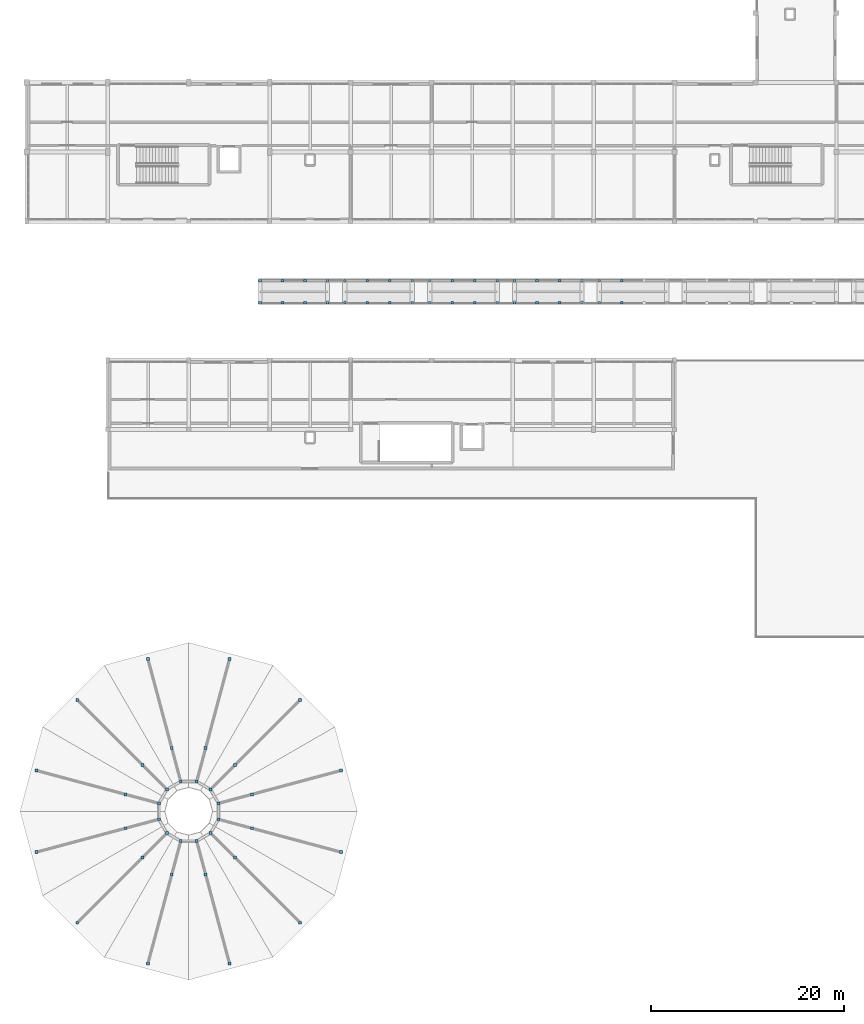
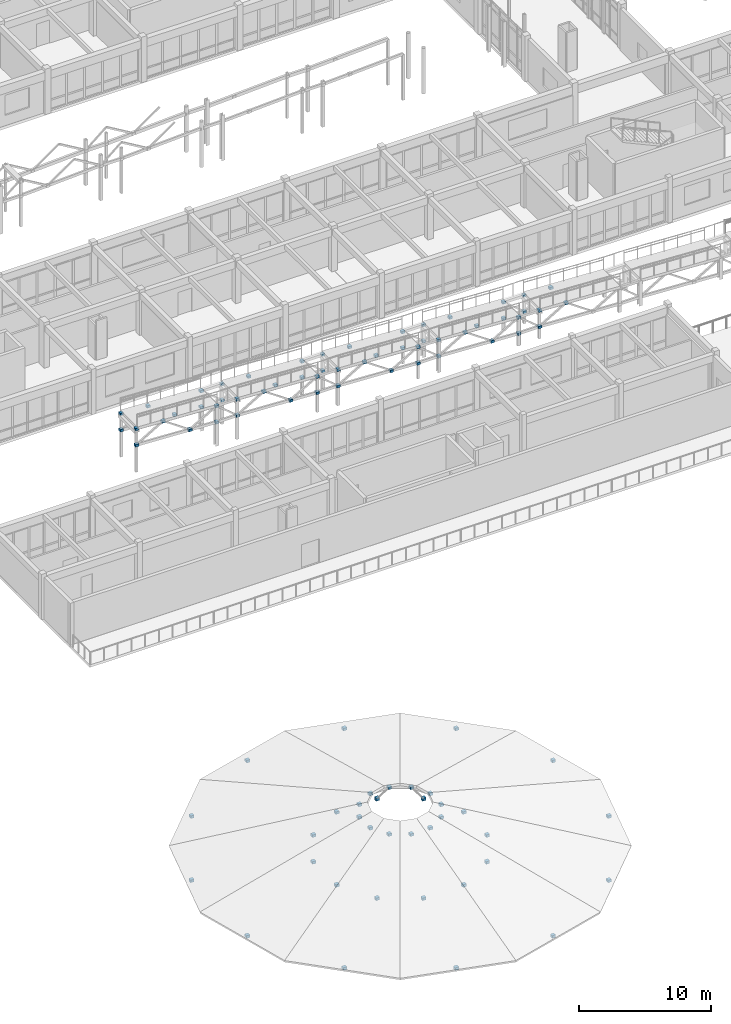
# One storey, part 70 of 89: 90 plates.
"""IFC4 building model written with IfcOpenShell, lengths in metres."""

from ifc_helpers import new_model, si_unit, direction, frame, origin, origin_2d, place, context, subcontext, project, spatial, rectangle, extrude, material, layer, layer_set, type_object, element, save


model = new_model("IFC4")

# Units and contexts
model_context = context("Model", 3, precision=1e-05, world=origin(), true_north=direction((0.0, 1.0)))
body_context = subcontext(model_context, "Body", "Model", "MODEL_VIEW")
ifc_project = project(units=[si_unit("LENGTHUNIT", "METRE"), si_unit("AREAUNIT", "SQUARE_METRE"), si_unit("VOLUMEUNIT", "CUBIC_METRE"), si_unit("PLANEANGLEUNIT", "RADIAN"), si_unit("MASSUNIT", "GRAM", prefix="KILO")], contexts=[model_context])

# Site, building, storey
site_placement = place(None, origin())
site = spatial("IfcSite", under=ifc_project, at=site_placement, CompositionType="ELEMENT")
building_placement = place(site_placement, origin())
building = spatial("IfcBuilding", under=site, at=building_placement, Name="Malvenik Polytechnic", CompositionType="ELEMENT")
storey_placement = place(building_placement, frame((0.0, 0.0, 13.5)))
storey = spatial("IfcBuildingStorey", under=building, at=storey_placement, Name="L03", CompositionType="ELEMENT", Elevation=13.5)

# Plates
ifc_material = material(Name="Steel S355J2H", Category="steel")
ifc_layer_1 = layer(ifc_material, 0.034912109375)
ifc_layer_set_1 = layer_set([ifc_layer_1], Name="Steel S355J2H")
plate_type_1 = type_object("IfcPlateType", Name="STR-PLT-NP-02", PredefinedType="USERDEFINED", material=ifc_layer_set_1)
for number, where, z_axis, x_axis, name in (
    (1, (19.89111328125, 18.828125, 3.14501953125), (0.0, 0.0, 1.0), (1.0, 0.0, 0.0), "Rotunda Truss Ring Node #1T"),
    (2, (23.368408203125, 19.760009765625, -0.33984375), (0.0, 0.0, 1.0), (1.0, 0.0, 0.0), "Rotunda Truss Ring Node #1B"),
    (3, (19.062744140625, 20.2626953125, 3.14501953125), (0.0, 0.0, 1.0), (1.0, 0.0, 0.0), "Rotunda Truss Ring Node #2T"),
    (4, (21.6083984375, 22.808349609375, -0.33984375), (0.0, 0.0, 1.0), (1.0, 0.0, 0.0), "Rotunda Truss Ring Node #2B"),
    (5, (17.628173828125, 21.091064453125, 3.14501953125), (0.0, 0.0, 1.0), (1.0, 0.0, 0.0), "Rotunda Truss Ring Node #3T"),
    (6, (18.56005859375, 24.568359375, -0.33984375), (0.0, 0.0, 1.0), (1.0, 0.0, 0.0), "Rotunda Truss Ring Node #3B"),
    (7, (15.9716796875, 21.091064453125, 3.14501953125), (0.0, 0.0, 1.0), (1.0, 0.0, 0.0), "Rotunda Truss Ring Node #4T"),
    (8, (15.0400390625, 24.568359375, -0.33984375), (0.0, 0.0, 1.0), (1.0, 0.0, 0.0), "Rotunda Truss Ring Node #4B"),
    (9, (14.537353515625, 20.2626953125, 3.14501953125), (0.0, 0.0, 1.0), (1.0, 0.0, 0.0), "Rotunda Truss Ring Node #5T"),
    (10, (11.99169921875, 22.808349609375, -0.33984375), (0.0, 0.0, 1.0), (1.0, 0.0, 0.0), "Rotunda Truss Ring Node #5B"),
    (11, (13.708984375, 18.828125, 3.14501953125), (0.0, 0.0, 1.0), (1.0, 0.0, 0.0), "Rotunda Truss Ring Node #6T"),
    (12, (10.231689453125, 19.760009765625, -0.33984375), (0.0, 0.0, 1.0), (1.0, 0.0, 0.0), "Rotunda Truss Ring Node #6B"),
    (13, (13.708984375, 17.171875, 3.14501953125), (0.0, 0.0, 1.0), (1.0, 0.0, 0.0), "Rotunda Truss Ring Node #7T"),
    (14, (10.231689453125, 16.239990234375, -0.33984375), (0.0, 0.0, 1.0), (1.0, 0.0, 0.0), "Rotunda Truss Ring Node #7B"),
    (15, (14.537353515625, 15.7373046875, 3.14501953125), (0.0, 0.0, 1.0), (1.0, 0.0, 0.0), "Rotunda Truss Ring Node #8T"),
    (16, (11.99169921875, 13.191650390625, -0.33984375), (0.0, 0.0, 1.0), (1.0, 0.0, 0.0), "Rotunda Truss Ring Node #8B"),
    (17, (15.9716796875, 14.908935546875, 3.14501953125), (0.0, 0.0, 1.0), (1.0, 0.0, 0.0), "Rotunda Truss Ring Node #9T"),
    (18, (15.0400390625, 11.431640625, -0.33984375), (0.0, 0.0, 1.0), (1.0, 0.0, 0.0), "Rotunda Truss Ring Node #9B"),
    (19, (17.628173828125, 14.908935546875, 3.14501953125), (0.0, 0.0, 1.0), (1.0, 0.0, 0.0), "Rotunda Truss Ring Node #10T"),
    (20, (18.56005859375, 11.431640625, -0.33984375), (0.0, 0.0, 1.0), (1.0, 0.0, 0.0), "Rotunda Truss Ring Node #10B"),
    (21, (19.062744140625, 15.7373046875, 3.14501953125), (0.0, 0.0, 1.0), (1.0, 0.0, 0.0), "Rotunda Truss Ring Node #11T"),
    (22, (21.6083984375, 13.191650390625, -0.33984375), (0.0, 0.0, 1.0), (1.0, 0.0, 0.0), "Rotunda Truss Ring Node #11B"),
    (23, (19.89111328125, 17.171875, 3.14501953125), (0.0, 0.0, 1.0), (1.0, 0.0, 0.0), "Rotunda Truss Ring Node #12T"),
    (24, (23.368408203125, 16.239990234375, -0.33984375), (0.0, 0.0, 1.0), (1.0, 0.0, 0.0), "Rotunda Truss Ring Node #12B"),
    (25, (32.593017578125, 22.23193359375, -0.31494140625), (0.0, 0.0, 1.0), (1.0, 0.0, 0.0), "Rotunda Eaves Truss Node #1"),
    (26, (28.361083984375, 29.56103515625, -0.31494140625), (0.0, 0.0, 1.0), (1.0, 0.0, 0.0), "Rotunda Eaves Truss Node #2"),
    (27, (21.031982421875, 33.79296875, -0.31494140625), (0.0, 0.0, 1.0), (1.0, 0.0, 0.0), "Rotunda Eaves Truss Node #3"),
    (28, (12.568115234375, 33.79296875, -0.31494140625), (0.0, 0.0, 1.0), (1.0, 0.0, 0.0), "Rotunda Eaves Truss Node #4"),
    (29, (5.239013671875, 29.56103515625, -0.31494140625), (0.0, 0.0, 1.0), (1.0, 0.0, 0.0), "Rotunda Eaves Truss Node #5"),
    (30, (1.007080078125, 22.23193359375, -0.31494140625), (0.0, 0.0, 1.0), (1.0, 0.0, 0.0), "Rotunda Eaves Truss Node #6"),
    (31, (1.007080078125, 13.76806640625, -0.31494140625), (0.0, 0.0, 1.0), (1.0, 0.0, 0.0), "Rotunda Eaves Truss Node #7"),
    (32, (5.239013671875, 6.43896484375, -0.31494140625), (0.0, 0.0, 1.0), (1.0, 0.0, 0.0), "Rotunda Eaves Truss Node #8"),
    (33, (12.568115234375, 2.20703125, -0.31494140625), (0.0, 0.0, 1.0), (1.0, 0.0, 0.0), "Rotunda Eaves Truss Node #9"),
    (34, (21.031982421875, 2.20703125, -0.31494140625), (0.0, 0.0, 1.0), (1.0, 0.0, 0.0), "Rotunda Eaves Truss Node #10"),
    (35, (28.361083984375, 6.43896484375, -0.31494140625), (0.0, 0.0, 1.0), (1.0, 0.0, 0.0), "Rotunda Eaves Truss Node #11"),
    (36, (32.593017578125, 13.76806640625, -0.31494140625), (0.0, 0.0, 1.0), (1.0, 0.0, 0.0), "Rotunda Eaves Truss Node #12"),
):
    element("IfcPlate", number, at=place(storey_placement, frame(where, z_axis=z_axis, x_axis=x_axis)), inside=storey, type_object=plate_type_1, Name=name, ObjectType="GUSSET PLATE", PredefinedType="USERDEFINED", context=body_context, shape_type="SweptSolid", body=[
        extrude(rectangle(XDim=0.300048828125, YDim=0.300048828125, at=origin_2d()), origin(), (0.0, 0.0, 1.0), 0.239990234375),
    ])
ifc_layer_2 = layer(ifc_material, 0.034912109375)
ifc_layer_set_2 = layer_set([ifc_layer_2], Name="Steel S355J2H")
plate_type_2 = type_object("IfcPlateType", Name="STR-PLT-NP-03", PredefinedType="USERDEFINED", material=ifc_layer_set_2)
for number, where, z_axis, x_axis, name in (
    (37, (59.39990234375, 70.75, 2.47021484375), (0.0, 0.0, 1.0), (1.0, 0.0, 0.0), "Warren Joint Node Plate RB-02"),
    (38, (59.39990234375, 70.75, 0.97021484375), (0.0, 0.0, 1.0), (1.0, 0.0, 0.0), "Warren Joint Node Plate RB-02"),
    (39, (57.60009765625, 70.75, 2.47021484375), (0.0, 0.0, 1.0), (1.0, 0.0, 0.0), "Warren Joint Node Plate RB-02"),
    (40, (57.60009765625, 70.75, 0.97021484375), (0.0, 0.0, 1.0), (1.0, 0.0, 0.0), "Warren Joint Node Plate RB-02"),
    (41, (50.60009765625, 70.75, 2.81982421875), (0.0, 0.0, 1.0), (1.0, 0.0, 0.0), "Warren Joint Node Plate RB-02"),
    (42, (50.60009765625, 70.75, 1.31982421875), (0.0, 0.0, 1.0), (1.0, 0.0, 0.0), "Warren Joint Node Plate RB-02"),
    (43, (48.800048828125, 70.75, 2.81982421875), (0.0, 0.0, 1.0), (1.0, 0.0, 0.0), "Warren Joint Node Plate RB-02"),
    (44, (48.800048828125, 70.75, 1.31982421875), (0.0, 0.0, 1.0), (1.0, 0.0, 0.0), "Warren Joint Node Plate RB-02"),
    (45, (41.800048828125, 70.75, 3.169921875), (0.0, 0.0, 1.0), (1.0, 0.0, 0.0), "Warren Joint Node Plate RB-02"),
    (46, (41.800048828125, 70.75, 1.669921875), (0.0, 0.0, 1.0), (1.0, 0.0, 0.0), "Warren Joint Node Plate RB-02"),
    (47, (40.0, 70.75, 3.169921875), (0.0, 0.0, 1.0), (1.0, 0.0, 0.0), "Warren Joint Node Plate RB-02"),
    (48, (40.0, 70.75, 1.669921875), (0.0, 0.0, 1.0), (1.0, 0.0, 0.0), "Warren Joint Node Plate RB-02"),
    (49, (33.0, 70.75, 3.52001953125), (0.0, 0.0, 1.0), (1.0, 0.0, 0.0), "Warren Joint Node Plate RB-02"),
    (50, (33.0, 70.75, 2.02001953125), (0.0, 0.0, 1.0), (1.0, 0.0, 0.0), "Warren Joint Node Plate RB-02"),
    (51, (31.199951171875, 70.75, 3.52001953125), (0.0, 0.0, 1.0), (1.0, 0.0, 0.0), "Warren Joint Node Plate RB-02"),
    (52, (31.199951171875, 70.75, 2.02001953125), (0.0, 0.0, 1.0), (1.0, 0.0, 0.0), "Warren Joint Node Plate RB-02"),
    (53, (24.199951171875, 70.75, 3.8701171875), (0.0, 0.0, 1.0), (1.0, 0.0, 0.0), "Warren Joint Node Plate RB-02"),
    (54, (24.199951171875, 70.75, 2.3701171875), (0.0, 0.0, 1.0), (1.0, 0.0, 0.0), "Warren Joint Node Plate RB-02"),
    (55, (61.7333984375, 70.75, 2.353515625), (0.0, 0.0, 1.0), (1.0, 0.0, 0.0), "Warren Web Node Plate RB-02"),
    (56, (55.2666015625, 70.75, 1.0869140625), (0.0, 0.0, 1.0), (1.0, 0.0, 0.0), "Warren Web Node Plate RB-02"),
    (57, (52.933349609375, 70.75, 2.703125), (0.0, 0.0, 1.0), (1.0, 0.0, 0.0), "Warren Web Node Plate RB-02"),
    (58, (46.466796875, 70.75, 1.4365234375), (0.0, 0.0, 1.0), (1.0, 0.0, 0.0), "Warren Web Node Plate RB-02"),
    (59, (44.13330078125, 70.75, 3.05322265625), (0.0, 0.0, 1.0), (1.0, 0.0, 0.0), "Warren Web Node Plate RB-02"),
    (60, (37.666748046875, 70.75, 1.78662109375), (0.0, 0.0, 1.0), (1.0, 0.0, 0.0), "Warren Web Node Plate RB-02"),
    (61, (35.333251953125, 70.75, 3.4033203125), (0.0, 0.0, 1.0), (1.0, 0.0, 0.0), "Warren Web Node Plate RB-02"),
    (62, (28.86669921875, 70.75, 2.13671875), (0.0, 0.0, 1.0), (1.0, 0.0, 0.0), "Warren Web Node Plate RB-02"),
    (63, (26.533203125, 70.75, 3.75341796875), (0.0, 0.0, 1.0), (1.0, 0.0, 0.0), "Warren Web Node Plate RB-02"),
    (64, (59.39990234375, 73.050048828125, 2.47021484375), (0.0, 0.0, 1.0), (1.0, 0.0, 0.0), "Warren Joint Node Plate RB-02"),
    (65, (59.39990234375, 73.050048828125, 0.97021484375), (0.0, 0.0, 1.0), (1.0, 0.0, 0.0), "Warren Joint Node Plate RB-02"),
    (66, (57.60009765625, 73.050048828125, 2.47021484375), (0.0, 0.0, 1.0), (1.0, 0.0, 0.0), "Warren Joint Node Plate RB-02"),
    (67, (57.60009765625, 73.050048828125, 0.97021484375), (0.0, 0.0, 1.0), (1.0, 0.0, 0.0), "Warren Joint Node Plate RB-02"),
    (68, (50.60009765625, 73.050048828125, 2.81982421875), (0.0, 0.0, 1.0), (1.0, 0.0, 0.0), "Warren Joint Node Plate RB-02"),
    (69, (50.60009765625, 73.050048828125, 1.31982421875), (0.0, 0.0, 1.0), (1.0, 0.0, 0.0), "Warren Joint Node Plate RB-02"),
    (70, (48.800048828125, 73.050048828125, 2.81982421875), (0.0, 0.0, 1.0), (1.0, 0.0, 0.0), "Warren Joint Node Plate RB-02"),
    (71, (48.800048828125, 73.050048828125, 1.31982421875), (0.0, 0.0, 1.0), (1.0, 0.0, 0.0), "Warren Joint Node Plate RB-02"),
    (72, (41.800048828125, 73.050048828125, 3.169921875), (0.0, 0.0, 1.0), (1.0, 0.0, 0.0), "Warren Joint Node Plate RB-02"),
    (73, (41.800048828125, 73.050048828125, 1.669921875), (0.0, 0.0, 1.0), (1.0, 0.0, 0.0), "Warren Joint Node Plate RB-02"),
    (74, (40.0, 73.050048828125, 3.169921875), (0.0, 0.0, 1.0), (1.0, 0.0, 0.0), "Warren Joint Node Plate RB-02"),
    (75, (40.0, 73.050048828125, 1.669921875), (0.0, 0.0, 1.0), (1.0, 0.0, 0.0), "Warren Joint Node Plate RB-02"),
    (76, (33.0, 73.050048828125, 3.52001953125), (0.0, 0.0, 1.0), (1.0, 0.0, 0.0), "Warren Joint Node Plate RB-02"),
    (77, (33.0, 73.050048828125, 2.02001953125), (0.0, 0.0, 1.0), (1.0, 0.0, 0.0), "Warren Joint Node Plate RB-02"),
    (78, (31.199951171875, 73.050048828125, 3.52001953125), (0.0, 0.0, 1.0), (1.0, 0.0, 0.0), "Warren Joint Node Plate RB-02"),
    (79, (31.199951171875, 73.050048828125, 2.02001953125), (0.0, 0.0, 1.0), (1.0, 0.0, 0.0), "Warren Joint Node Plate RB-02"),
    (80, (24.199951171875, 73.050048828125, 3.8701171875), (0.0, 0.0, 1.0), (1.0, 0.0, 0.0), "Warren Joint Node Plate RB-02"),
    (81, (24.199951171875, 73.050048828125, 2.3701171875), (0.0, 0.0, 1.0), (1.0, 0.0, 0.0), "Warren Joint Node Plate RB-02"),
    (82, (61.7333984375, 73.050048828125, 2.353515625), (0.0, 0.0, 1.0), (1.0, 0.0, 0.0), "Warren Web Node Plate RB-02"),
    (83, (55.2666015625, 73.050048828125, 1.0869140625), (0.0, 0.0, 1.0), (1.0, 0.0, 0.0), "Warren Web Node Plate RB-02"),
    (84, (52.933349609375, 73.050048828125, 2.703125), (0.0, 0.0, 1.0), (1.0, 0.0, 0.0), "Warren Web Node Plate RB-02"),
    (85, (46.466796875, 73.050048828125, 1.4365234375), (0.0, 0.0, 1.0), (1.0, 0.0, 0.0), "Warren Web Node Plate RB-02"),
    (86, (44.13330078125, 73.050048828125, 3.05322265625), (0.0, 0.0, 1.0), (1.0, 0.0, 0.0), "Warren Web Node Plate RB-02"),
    (87, (37.666748046875, 73.050048828125, 1.78662109375), (0.0, 0.0, 1.0), (1.0, 0.0, 0.0), "Warren Web Node Plate RB-02"),
    (88, (35.333251953125, 73.050048828125, 3.4033203125), (0.0, 0.0, 1.0), (1.0, 0.0, 0.0), "Warren Web Node Plate RB-02"),
    (89, (28.86669921875, 73.050048828125, 2.13671875), (0.0, 0.0, 1.0), (1.0, 0.0, 0.0), "Warren Web Node Plate RB-02"),
    (90, (26.533203125, 73.050048828125, 3.75341796875), (0.0, 0.0, 1.0), (1.0, 0.0, 0.0), "Warren Web Node Plate RB-02"),
):
    element("IfcPlate", number, at=place(storey_placement, frame(where, z_axis=z_axis, x_axis=x_axis)), inside=storey, type_object=plate_type_2, Name=name, ObjectType="GUSSET PLATE", PredefinedType="USERDEFINED", context=body_context, shape_type="SweptSolid", body=[
        extrude(rectangle(XDim=0.280029296875, YDim=0.280029296875, at=origin_2d()), origin(), (0.0, 0.0, 1.0), 0.219970703125),
    ])

save(model, "model.ifc")
